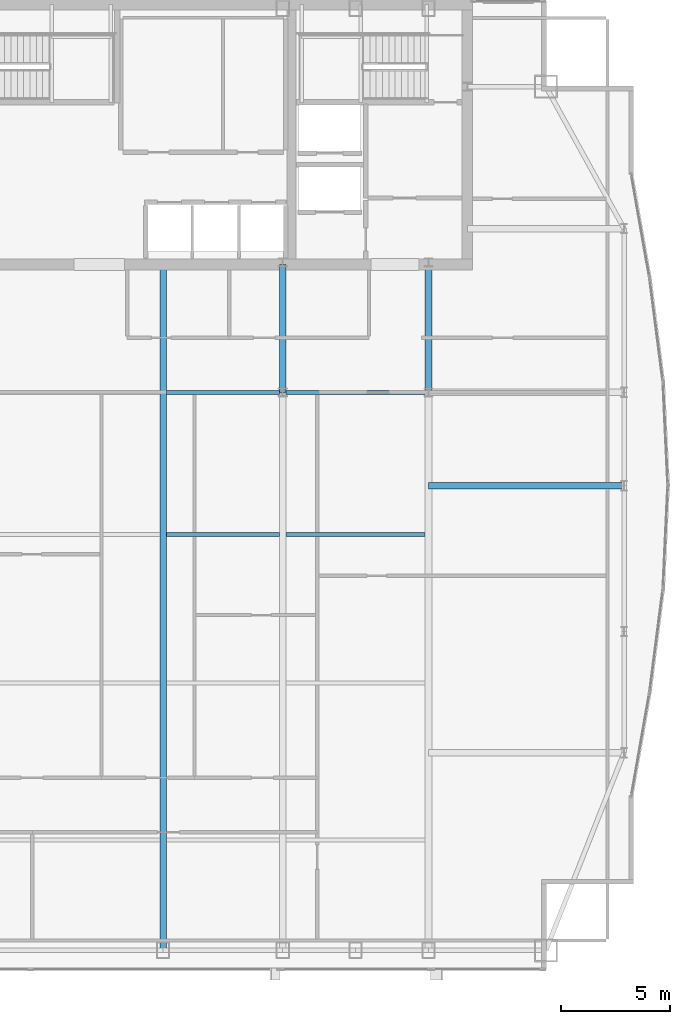
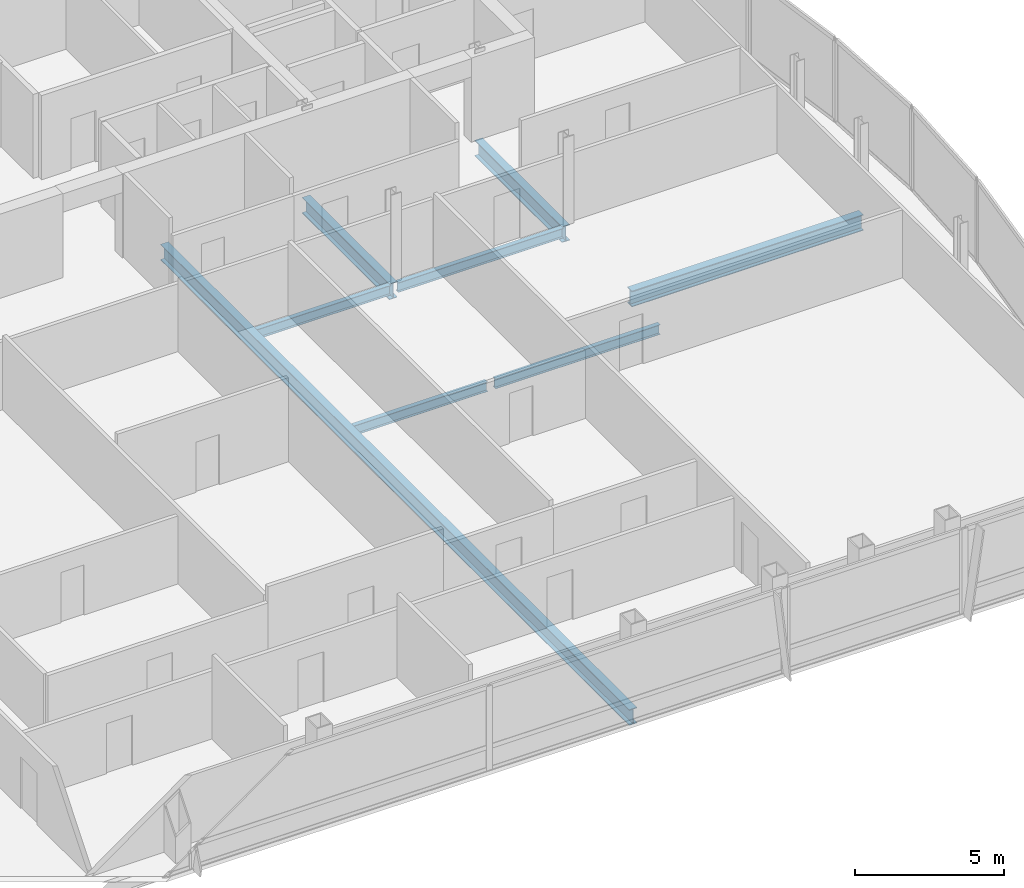
# One storey, part 17 of 30: 8 beams.
"""IFC4 building model written with IfcOpenShell, lengths in metres."""

from ifc_helpers import new_model, si_unit, direction, frame, origin, origin_2d, place, context, subcontext, project, spatial, i_section, extrude, material, material_profile, profile_set, type_object, element, save


model = new_model("IFC4")

# Units and contexts
model_context = context("Model", 3, precision=1e-05, world=origin(), true_north=direction((0.0, 1.0)))
body_context = subcontext(model_context, "Body", "Model", "MODEL_VIEW")
ifc_project = project(units=[si_unit("LENGTHUNIT", "METRE"), si_unit("AREAUNIT", "SQUARE_METRE"), si_unit("VOLUMEUNIT", "CUBIC_METRE"), si_unit("PLANEANGLEUNIT", "RADIAN"), si_unit("MASSUNIT", "GRAM", prefix="KILO")], contexts=[model_context])

# Site, building, storey
site_placement = place(None, origin())
site = spatial("IfcSite", under=ifc_project, at=site_placement, CompositionType="ELEMENT")
building_placement = place(site_placement, origin())
building = spatial("IfcBuilding", under=site, at=building_placement, Name="Khoronbel Lancet Exchange", CompositionType="ELEMENT")
storey_placement = place(building_placement, frame((0.0, 0.0, 277.0)))
storey = spatial("IfcBuildingStorey", under=building, at=storey_placement, Name="L71", CompositionType="ELEMENT", Elevation=277.0)

# Beams
ifc_material = material(Name="Steel S355", Category="steel")
ifc_material_profile_1 = material_profile(ifc_material, i_section(OverallWidth=0.300048828125, OverallDepth=0.64990234375, WebThickness=0.01611328125, FlangeThickness=0.031005859375, at=origin_2d()), Name="HEB 650")
ifc_profile_set_1 = profile_set([ifc_material_profile_1], Name="Steel S355")
beam_type_1 = type_object("IfcBeamType", Name="BM-BG4", PredefinedType="BEAM", material=ifc_profile_set_1)
beam_1_placement = place(storey_placement, frame((42.52490234375, 10.14990234375, -0.485107421875), z_axis=(0.0, 1.0, 0.0), x_axis=(-1.0, 0.0, 0.0)))
element("IfcBeam", 1, at=beam_1_placement, inside=storey, type_object=beam_type_1, Name="Level L71 primary floor girder G4", PredefinedType="BEAM", context=body_context, shape_type="SweptSolid", body=[
    extrude(i_section(OverallWidth=0.300048828125, OverallDepth=0.64990234375, WebThickness=0.01611328125, FlangeThickness=0.031005859375, at=origin_2d()), origin(), (0.0, 0.0, 1.0), 31.400146484375),
])
for number, where, z_axis, x_axis, name in (
    (2, (48.0, 35.699951171875, -0.485107421875), (0.0, 1.0, 0.0), (-1.0, 0.0, 0.0), "Level L71 spine tie girder GN5"),
    (3, (54.675048828125, 35.699951171875, -0.485107421875), (0.0, 1.0, 0.0), (-1.0, 0.0, 0.0), "Level L71 spine tie girder GN6"),
):
    element("IfcBeam", number, at=place(storey_placement, frame(where, z_axis=z_axis, x_axis=x_axis)), inside=storey, type_object=beam_type_1, Name=name, PredefinedType="BEAM", context=body_context, shape_type="SweptSolid", body=[
        extrude(i_section(OverallWidth=0.300048828125, OverallDepth=0.64990234375, WebThickness=0.01611328125, FlangeThickness=0.031005859375, at=origin_2d()), origin(), (0.0, 0.0, 1.0), 5.85009765625),
    ])
beam_2_placement = place(storey_placement, frame((54.675048828125, 31.425048828125, -0.485107421875), z_axis=(1.0, 0.0, 0.0), x_axis=(0.0, 1.0, 0.0)))
element("IfcBeam", 4, at=beam_2_placement, inside=storey, type_object=beam_type_1, Name="Level L71 east lens tie girder LG2E", PredefinedType="BEAM", context=body_context, shape_type="SweptSolid", body=[
    extrude(i_section(OverallWidth=0.300048828125, OverallDepth=0.64990234375, WebThickness=0.01611328125, FlangeThickness=0.031005859375, at=origin_2d()), origin(), (0.0, 0.0, 1.0), 8.954833984375),
])
ifc_material_profile_2 = material_profile(ifc_material, i_section(OverallWidth=0.179931640625, OverallDepth=0.39990234375, WebThickness=0.008544921875, FlangeThickness=0.013427734375, at=origin_2d()), Name="IPE 400")
ifc_profile_set_2 = profile_set([ifc_material_profile_2], Name="Steel S355")
beam_type_2 = type_object("IfcBeamType", Name="BM-BJ5", PredefinedType="JOIST", material=ifc_profile_set_2)
beam_3_placement = place(storey_placement, frame((42.675048828125, 29.199951171875, -0.360107421875), z_axis=(1.0, 0.0, 0.0), x_axis=(0.0, 1.0, 0.0)))
element("IfcBeam", 5, at=beam_3_placement, inside=storey, type_object=beam_type_2, Name="Level L71 secondary composite joist J14", PredefinedType="JOIST", context=body_context, shape_type="SweptSolid", body=[
    extrude(i_section(OverallWidth=0.179931640625, OverallDepth=0.39990234375, WebThickness=0.008544921875, FlangeThickness=0.013427734375, at=origin_2d()), origin(), (0.0, 0.0, 1.0), 5.175048828125),
])
beam_4_placement = place(storey_placement, frame((48.14990234375, 29.199951171875, -0.360107421875), z_axis=(1.0, 0.0, 0.0), x_axis=(0.0, 1.0, 0.0)))
element("IfcBeam", 6, at=beam_4_placement, inside=storey, type_object=beam_type_2, Name="Level L71 secondary composite joist J15", PredefinedType="JOIST", context=body_context, shape_type="SweptSolid", body=[
    extrude(i_section(OverallWidth=0.179931640625, OverallDepth=0.39990234375, WebThickness=0.008544921875, FlangeThickness=0.013427734375, at=origin_2d()), origin(), (0.0, 0.0, 1.0), 6.375),
])
beam_5_placement = place(storey_placement, frame((42.675048828125, 35.699951171875, -0.360107421875), z_axis=(1.0, 0.0, 0.0), x_axis=(0.0, 1.0, 0.0)))
element("IfcBeam", 7, at=beam_5_placement, inside=storey, type_object=beam_type_2, Name="Level L71 secondary composite joist J19", PredefinedType="JOIST", context=body_context, shape_type="SweptSolid", body=[
    extrude(i_section(OverallWidth=0.179931640625, OverallDepth=0.39990234375, WebThickness=0.008544921875, FlangeThickness=0.013427734375, at=origin_2d()), origin(), (0.0, 0.0, 1.0), 5.175048828125),
])
beam_6_placement = place(storey_placement, frame((48.14990234375, 35.699951171875, -0.360107421875), z_axis=(1.0, 0.0, 0.0), x_axis=(0.0, 1.0, 0.0)))
element("IfcBeam", 8, at=beam_6_placement, inside=storey, type_object=beam_type_2, Name="Level L71 secondary composite joist J20", PredefinedType="JOIST", context=body_context, shape_type="SweptSolid", body=[
    extrude(i_section(OverallWidth=0.179931640625, OverallDepth=0.39990234375, WebThickness=0.008544921875, FlangeThickness=0.013427734375, at=origin_2d()), origin(), (0.0, 0.0, 1.0), 6.375),
])

save(model, "model.ifc")
